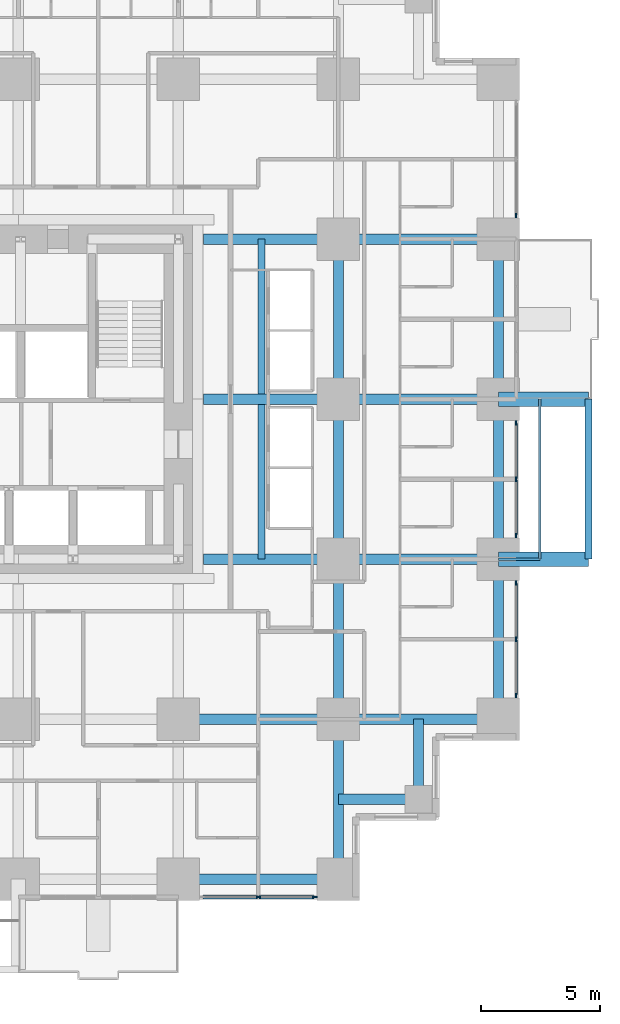
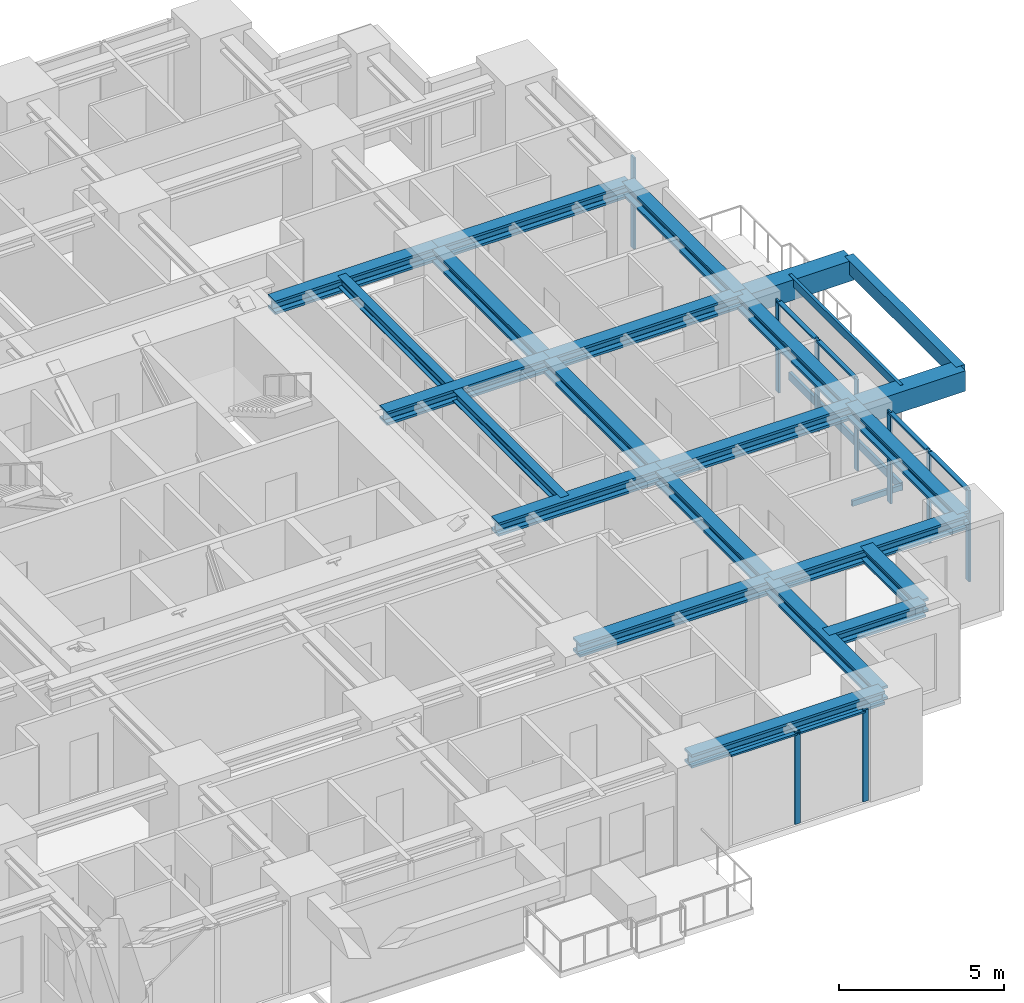
# One storey, part 4 of 14: 23 beams, 18 members, 4 elements without a shape of their own.
"""IFC4 building model written with IfcOpenShell, lengths in metres."""

from ifc_helpers import new_model, si_unit, direction, frame, origin, origin_2d, place, context, subcontext, project, spatial, rectangle, hollow_rectangle, i_section, extrude, material, material_profile, profile_set, type_object, element, aggregate, save


model = new_model("IFC4")

# Units and contexts
model_context = context("Model", 3, precision=1e-05, world=origin(), true_north=direction((0.0, 1.0)))
body_context = subcontext(model_context, "Body", "Model", "MODEL_VIEW")
ifc_project = project(units=[si_unit("LENGTHUNIT", "METRE"), si_unit("AREAUNIT", "SQUARE_METRE"), si_unit("VOLUMEUNIT", "CUBIC_METRE"), si_unit("PLANEANGLEUNIT", "RADIAN"), si_unit("MASSUNIT", "GRAM", prefix="KILO")], contexts=[model_context])

# Site, building, storey
site_placement = place(None, origin())
site = spatial("IfcSite", under=ifc_project, at=site_placement, CompositionType="ELEMENT")
building_placement = place(site_placement, origin())
building = spatial("IfcBuilding", under=site, at=building_placement, Name="Nyansa Garden Tower", CompositionType="ELEMENT")
storey_placement = place(building_placement, frame((0.0, 0.0, 50.39990234375)))
storey = spatial("IfcBuildingStorey", under=building, at=storey_placement, Name="L13", CompositionType="ELEMENT", Elevation=50.39990234375)

# Beams
ifc_material_1 = material(Name="Concrete C70/85", Category="concrete")
ifc_material_profile_1 = material_profile(ifc_material_1, rectangle(XDim=0.60009765625, YDim=0.75, at=origin_2d()), Name="RC 600x750")
ifc_profile_set_1 = profile_set([ifc_material_profile_1], Name="Concrete C70/85")
beam_type_1 = type_object("IfcBeamType", Name="Balcony cantilever beam CB1 RC 600x750", PredefinedType="BEAM", material=ifc_profile_set_1)
for number, where, z_axis, x_axis, name in (
    (1, (40.5, 13.5, 2.985107421875), (1.0, 0.0, 0.0), (0.0, 1.0, 0.0), "Balcony cantilever beam L14"),
    (2, (40.5, 20.25, 2.985107421875), (1.0, 0.0, 0.0), (0.0, 1.0, 0.0), "Balcony cantilever beam L14"),
):
    element("IfcBeam", number, at=place(storey_placement, frame(where, z_axis=z_axis, x_axis=x_axis)), inside=storey, type_object=beam_type_1, Name=name, PredefinedType="BEAM", context=body_context, shape_type="SweptSolid", body=[
        extrude(rectangle(XDim=0.60009765625, YDim=0.75, at=origin_2d()), origin(), (0.0, 0.0, 1.0), 3.800048828125),
    ])
ifc_material_2 = material(Name="Concrete C70/85", Category="concrete")
ifc_material_profile_2 = material_profile(ifc_material_2, rectangle(XDim=0.300048828125, YDim=0.5, at=origin_2d()), Name="RC 300x500")
ifc_profile_set_2 = profile_set([ifc_material_profile_2], Name="Concrete C70/85")
beam_type_2 = type_object("IfcBeamType", Name="Balcony edge beam BE1 RC 300x500", PredefinedType="BEAM", material=ifc_profile_set_2)
beam_1_placement = place(storey_placement, frame((44.300048828125, 13.5, 3.110107421875), z_axis=(0.0, 1.0, 0.0), x_axis=(-1.0, 0.0, 0.0)))
element("IfcBeam", 3, at=beam_1_placement, inside=storey, type_object=beam_type_2, Name="Balcony edge beam L14", PredefinedType="BEAM", context=body_context, shape_type="SweptSolid", body=[
    extrude(rectangle(XDim=0.300048828125, YDim=0.5, at=origin_2d()), origin(), (0.0, 0.0, 1.0), 6.75),
])

# Curtain wall, members
ifc_material_3 = material(Name="Black anodised aluminium, dark tinted double glazing", Category="aluminium")
curtain_wall_type = type_object("IfcCurtainWallType", Name="Inner skin curtain wall ISW-A", PredefinedType="USERDEFINED", material=ifc_material_3)
curtain_wall_1_placement = place(storey_placement, origin())
curtain_wall_1 = element("IfcCurtainWall", 4, at=curtain_wall_1_placement, inside=storey, type_object=curtain_wall_type, Name="Inner skin curtain wall L13 E", ObjectType="UNITISED CURTAIN WALL", PredefinedType="USERDEFINED")
ifc_material_4 = material(Name="Black anodised aluminium", Category="aluminium")
ifc_material_profile_3 = material_profile(ifc_material_4, rectangle(XDim=0.06494140625, YDim=0.199951171875, at=origin_2d()), Name="Mullion 200x65")
ifc_profile_set_3 = profile_set([ifc_material_profile_3], Name="Black anodised aluminium")
member_type_1 = type_object("IfcMemberType", Name="Mullion ISW-A 200x65", PredefinedType="MULLION", material=ifc_profile_set_3)
member_1_placement = place(storey_placement, frame((41.25, 7.75, 0.0), z_axis=(0.0, 0.0, 1.0), x_axis=(-1.0, 0.0, 0.0)))
member_1 = element("IfcMember", 5, at=member_1_placement, type_object=member_type_1, Name="ISW-A mullion 1", PredefinedType="MULLION", context=body_context, shape_type="SweptSolid", body=[
    extrude(rectangle(XDim=0.06494140625, YDim=0.199951171875, at=origin_2d()), origin(), (0.0, 0.0, 1.0), 3.375),
])
member_2_placement = place(storey_placement, frame((41.25, 10.125, 0.0), z_axis=(0.0, 0.0, 1.0), x_axis=(-1.0, 0.0, 0.0)))
member_2 = element("IfcMember", 6, at=member_2_placement, type_object=member_type_1, Name="ISW-A mullion 2", PredefinedType="MULLION", context=body_context, shape_type="SweptSolid", body=[
    extrude(rectangle(XDim=0.06494140625, YDim=0.199951171875, at=origin_2d()), origin(), (0.0, 0.0, 1.0), 3.375),
])
member_3_placement = place(storey_placement, frame((41.25, 12.5, 0.0), z_axis=(0.0, 0.0, 1.0), x_axis=(-1.0, 0.0, 0.0)))
member_3 = element("IfcMember", 7, at=member_3_placement, type_object=member_type_1, Name="ISW-A mullion 3", PredefinedType="MULLION", context=body_context, shape_type="SweptSolid", body=[
    extrude(rectangle(XDim=0.06494140625, YDim=0.199951171875, at=origin_2d()), origin(), (0.0, 0.0, 1.0), 3.375),
])

curtain_wall_2_placement = place(storey_placement, origin())
curtain_wall_2 = element("IfcCurtainWall", 8, at=curtain_wall_2_placement, inside=storey, type_object=curtain_wall_type, Name="Inner skin curtain wall L13 E", ObjectType="UNITISED CURTAIN WALL", PredefinedType="USERDEFINED")
member_4_placement = place(storey_placement, frame((41.25, 14.5, 0.0), z_axis=(0.0, 0.0, 1.0), x_axis=(-1.0, 0.0, 0.0)))
member_4 = element("IfcMember", 9, at=member_4_placement, type_object=member_type_1, Name="ISW-A mullion 1", PredefinedType="MULLION", context=body_context, shape_type="SweptSolid", body=[
    extrude(rectangle(XDim=0.06494140625, YDim=0.199951171875, at=origin_2d()), origin(), (0.0, 0.0, 1.0), 3.375),
])
member_5_placement = place(storey_placement, frame((41.25, 16.875, 0.0), z_axis=(0.0, 0.0, 1.0), x_axis=(-1.0, 0.0, 0.0)))
member_5 = element("IfcMember", 10, at=member_5_placement, type_object=member_type_1, Name="ISW-A mullion 2", PredefinedType="MULLION", context=body_context, shape_type="SweptSolid", body=[
    extrude(rectangle(XDim=0.06494140625, YDim=0.199951171875, at=origin_2d()), origin(), (0.0, 0.0, 1.0), 3.375),
])
member_6_placement = place(storey_placement, frame((41.25, 19.25, 0.0), z_axis=(0.0, 0.0, 1.0), x_axis=(-1.0, 0.0, 0.0)))
member_6 = element("IfcMember", 11, at=member_6_placement, type_object=member_type_1, Name="ISW-A mullion 3", PredefinedType="MULLION", context=body_context, shape_type="SweptSolid", body=[
    extrude(rectangle(XDim=0.06494140625, YDim=0.199951171875, at=origin_2d()), origin(), (0.0, 0.0, 1.0), 3.375),
])

# Curtain wall, member
curtain_wall_3_placement = place(storey_placement, origin())
curtain_wall_3 = element("IfcCurtainWall", 12, at=curtain_wall_3_placement, inside=storey, type_object=curtain_wall_type, Name="Inner skin curtain wall L13 E", ObjectType="UNITISED CURTAIN WALL", PredefinedType="USERDEFINED")
member_7_placement = place(storey_placement, frame((41.25, 28.0, 0.0), z_axis=(0.0, 0.0, 1.0), x_axis=(-1.0, 0.0, 0.0)))
member_7 = element("IfcMember", 13, at=member_7_placement, type_object=member_type_1, Name="ISW-A mullion 1", PredefinedType="MULLION", context=body_context, shape_type="SweptSolid", body=[
    extrude(rectangle(XDim=0.06494140625, YDim=0.199951171875, at=origin_2d()), origin(), (0.0, 0.0, 1.0), 3.375),
])
aggregate(curtain_wall_3, [member_7])

# Curtain wall, members
curtain_wall_4_placement = place(storey_placement, origin())
curtain_wall_4 = element("IfcCurtainWall", 14, at=curtain_wall_4_placement, inside=storey, type_object=curtain_wall_type, Name="Inner skin curtain wall L13 S", ObjectType="UNITISED CURTAIN WALL", PredefinedType="USERDEFINED")
member_8_placement = place(storey_placement, frame((30.375, -0.75, 0.0), z_axis=(0.0, 0.0, 1.0), x_axis=(0.0, 1.0, 0.0)))
member_8 = element("IfcMember", 15, at=member_8_placement, type_object=member_type_1, Name="ISW-A mullion 2", PredefinedType="MULLION", context=body_context, shape_type="SweptSolid", body=[
    extrude(rectangle(XDim=0.06494140625, YDim=0.199951171875, at=origin_2d()), origin(), (0.0, 0.0, 1.0), 3.375),
])
member_9_placement = place(storey_placement, frame((32.75, -0.75, 0.0), z_axis=(0.0, 0.0, 1.0), x_axis=(0.0, 1.0, 0.0)))
member_9 = element("IfcMember", 16, at=member_9_placement, type_object=member_type_1, Name="ISW-A mullion 3", PredefinedType="MULLION", context=body_context, shape_type="SweptSolid", body=[
    extrude(rectangle(XDim=0.06494140625, YDim=0.199951171875, at=origin_2d()), origin(), (0.0, 0.0, 1.0), 3.375),
])

# Members
ifc_material_5 = material(Name="Steel S355, black powder coated", Category="steel")
ifc_material_profile_4 = material_profile(ifc_material_5, hollow_rectangle(XDim=0.10009765625, YDim=0.199951171875, WallThickness=0.008056640625, at=origin_2d()), Name="RHS 200x100x8")
ifc_profile_set_4 = profile_set([ifc_material_profile_4], Name="Steel S355, black powder coated")
member_type_2 = type_object("IfcMemberType", Name="Outer skin bracket arm RHS 200x100x8", PredefinedType="USERDEFINED", material=ifc_profile_set_4)
member_10_placement = place(storey_placement, frame((40.5, 13.5, -0.375), z_axis=(1.0, 0.0, 0.0), x_axis=(0.0, 1.0, 0.0)))
element("IfcMember", 17, at=member_10_placement, inside=storey, type_object=member_type_2, Name="Outer skin bracket arm", ObjectType="OUTER SKIN BRACKET", PredefinedType="USERDEFINED", context=body_context, shape_type="SweptSolid", body=[
    extrude(hollow_rectangle(XDim=0.10009765625, YDim=0.199951171875, WallThickness=0.008056640625, at=origin_2d()), origin(), (0.0, 0.0, 1.0), 1.75),
])
ifc_material_6 = material(Name="Steel S355, black powder coated", Category="steel")
ifc_material_profile_5 = material_profile(ifc_material_6, hollow_rectangle(XDim=0.10009765625, YDim=0.300048828125, WallThickness=0.010009765625, at=origin_2d()), Name="RHS 300x100x10")
ifc_profile_set_5 = profile_set([ifc_material_profile_5], Name="Steel S355, black powder coated")
member_type_3 = type_object("IfcMemberType", Name="Outer skin rail RHS 300x100x10", PredefinedType="USERDEFINED", material=ifc_profile_set_5)
for number, where, z_axis, x_axis, name in (
    (18, (42.25, 13.5, -0.375), (0.0, 1.0, 0.0), (-1.0, 0.0, 0.0), "Outer skin rail L13"),
    (19, (42.25, 13.5, 3.22509765625), (0.0, 1.0, 0.0), (-1.0, 0.0, 0.0), "Outer skin rail L13 head"),
):
    element("IfcMember", number, at=place(storey_placement, frame(where, z_axis=z_axis, x_axis=x_axis)), inside=storey, type_object=member_type_3, Name=name, ObjectType="OUTER SKIN RAIL", PredefinedType="USERDEFINED", context=body_context, shape_type="SweptSolid", body=[
        extrude(hollow_rectangle(XDim=0.10009765625, YDim=0.300048828125, WallThickness=0.010009765625, at=origin_2d()), origin(), (0.0, 0.0, 1.0), 6.75),
    ])

# Beams
ifc_material_7 = material(Name="Steel S355", Category="steel")
ifc_material_profile_6 = material_profile(ifc_material_7, i_section(OverallWidth=0.431884765625, OverallDepth=0.498046875, WebThickness=0.0556640625, FlangeThickness=0.0888671875, FilletRadius=0.014892578125, at=origin_2d()), Name="HD 400x744")
ifc_profile_set_6 = profile_set([ifc_material_profile_6], Name="Steel S355")
beam_type_3 = type_object("IfcBeamType", Name="Steel beam SBA1-744 HD 400x744", PredefinedType="BEAM", material=ifc_profile_set_6)
beam_2_placement = place(storey_placement, frame((27.0, 6.75, 3.1259765625), z_axis=(1.0, 0.0, 0.0), x_axis=(0.0, 1.0, 0.0)))
element("IfcBeam", 20, at=beam_2_placement, inside=storey, type_object=beam_type_3, Name="Steel beam 6/E-7/E L14", PredefinedType="BEAM", context=body_context, shape_type="SweptSolid", body=[
    extrude(i_section(OverallWidth=0.431884765625, OverallDepth=0.498046875, WebThickness=0.0556640625, FlangeThickness=0.0888671875, FilletRadius=0.014892578125, at=origin_2d()), origin(), (0.0, 0.0, 1.0), 6.75),
])
for number, where, z_axis, x_axis, name in (
    (21, (28.050048828125, 13.5, 3.1259765625), (1.0, 0.0, 0.0), (0.0, 1.0, 0.0), "Steel beam 28.050/F-7/F L14"),
    (22, (28.050048828125, 20.25, 3.1259765625), (1.0, 0.0, 0.0), (0.0, 1.0, 0.0), "Steel beam 28.050/G-7/G L14"),
    (23, (28.050048828125, 27.0, 3.1259765625), (1.0, 0.0, 0.0), (0.0, 1.0, 0.0), "Steel beam 28.050/H-7/H L14"),
):
    element("IfcBeam", number, at=place(storey_placement, frame(where, z_axis=z_axis, x_axis=x_axis)), inside=storey, type_object=beam_type_3, Name=name, PredefinedType="BEAM", context=body_context, shape_type="SweptSolid", body=[
        extrude(i_section(OverallWidth=0.431884765625, OverallDepth=0.498046875, WebThickness=0.0556640625, FlangeThickness=0.0888671875, FilletRadius=0.014892578125, at=origin_2d()), origin(), (0.0, 0.0, 1.0), 5.699951171875),
    ])
for number, where, z_axis, x_axis, name in (
    (24, (33.75, 0.0, 3.1259765625), (0.0, 1.0, 0.0), (-1.0, 0.0, 0.0), "Steel beam 7/D-7/E L14"),
    (25, (33.75, 6.75, 3.1259765625), (0.0, 1.0, 0.0), (-1.0, 0.0, 0.0), "Steel beam 7/E-7/F L14"),
    (26, (33.75, 6.75, 3.1259765625), (1.0, 0.0, 0.0), (0.0, 1.0, 0.0), "Steel beam 7/E-8/E L14"),
    (27, (33.75, 13.5, 3.1259765625), (0.0, 1.0, 0.0), (-1.0, 0.0, 0.0), "Steel beam 7/F-7/G L14"),
    (28, (33.75, 13.5, 3.1259765625), (1.0, 0.0, 0.0), (0.0, 1.0, 0.0), "Steel beam 7/F-8/F L14"),
    (29, (33.75, 20.25, 3.1259765625), (0.0, 1.0, 0.0), (-1.0, 0.0, 0.0), "Steel beam 7/G-7/H L14"),
    (30, (33.75, 20.25, 3.1259765625), (1.0, 0.0, 0.0), (0.0, 1.0, 0.0), "Steel beam 7/G-8/G L14"),
    (31, (33.75, 27.0, 3.1259765625), (1.0, 0.0, 0.0), (0.0, 1.0, 0.0), "Steel beam 7/H-8/H L14"),
):
    element("IfcBeam", number, at=place(storey_placement, frame(where, z_axis=z_axis, x_axis=x_axis)), inside=storey, type_object=beam_type_3, Name=name, PredefinedType="BEAM", context=body_context, shape_type="SweptSolid", body=[
        extrude(i_section(OverallWidth=0.431884765625, OverallDepth=0.498046875, WebThickness=0.0556640625, FlangeThickness=0.0888671875, FilletRadius=0.014892578125, at=origin_2d()), origin(), (0.0, 0.0, 1.0), 6.75),
    ])
ifc_material_8 = material(Name="Steel S355", Category="steel")
ifc_material_profile_7 = material_profile(ifc_material_8, i_section(OverallWidth=0.431884765625, OverallDepth=0.498046875, WebThickness=0.0556640625, FlangeThickness=0.0888671875, FilletRadius=0.014892578125, at=origin_2d()), Name="HD 400x744")
ifc_profile_set_7 = profile_set([ifc_material_profile_7], Name="Steel S355")
beam_type_4 = type_object("IfcBeamType", Name="Steel beam SEBA-744 HD 400x744", PredefinedType="BEAM", material=ifc_profile_set_7)
for number, where, z_axis, x_axis, name in (
    (32, (27.0, 0.0, 3.1259765625), (1.0, 0.0, 0.0), (0.0, 1.0, 0.0), "Steel edge beam 6/D-7/D L14"),
    (33, (40.5, 6.75, 3.1259765625), (0.0, 1.0, 0.0), (-1.0, 0.0, 0.0), "Steel edge beam 8/E-8/F L14"),
    (34, (40.5, 13.5, 3.1259765625), (0.0, 1.0, 0.0), (-1.0, 0.0, 0.0), "Steel edge beam 8/F-8/G L14"),
    (35, (40.5, 20.25, 3.1259765625), (0.0, 1.0, 0.0), (-1.0, 0.0, 0.0), "Steel edge beam 8/G-8/H L14"),
):
    element("IfcBeam", number, at=place(storey_placement, frame(where, z_axis=z_axis, x_axis=x_axis)), inside=storey, type_object=beam_type_4, Name=name, PredefinedType="BEAM", context=body_context, shape_type="SweptSolid", body=[
        extrude(i_section(OverallWidth=0.431884765625, OverallDepth=0.498046875, WebThickness=0.0556640625, FlangeThickness=0.0888671875, FilletRadius=0.014892578125, at=origin_2d()), origin(), (0.0, 0.0, 1.0), 6.75),
    ])
ifc_material_9 = material(Name="Steel S355", Category="steel")
ifc_material_profile_8 = material_profile(ifc_material_9, i_section(OverallWidth=0.431884765625, OverallDepth=0.498046875, WebThickness=0.0556640625, FlangeThickness=0.0888671875, FilletRadius=0.014892578125, at=origin_2d()), Name="HD 400x744")
ifc_profile_set_8 = profile_set([ifc_material_profile_8], Name="Steel S355")
beam_type_5 = type_object("IfcBeamType", Name="Steel beam SSB1-744 HD 400x744", PredefinedType="BEAM", material=ifc_profile_set_8)
for number, where, z_axis, x_axis, name in (
    (36, (37.125, 3.375, 3.1259765625), (0.0, 1.0, 0.0), (-1.0, 0.0, 0.0), "Steel step beam 37.125/3.375 L14"),
    (37, (37.125, 3.375, 3.1259765625), (-1.0, 0.0, 0.0), (0.0, -1.0, 0.0), "Steel step beam 37.125/3.375 L14"),
):
    element("IfcBeam", number, at=place(storey_placement, frame(where, z_axis=z_axis, x_axis=x_axis)), inside=storey, type_object=beam_type_5, Name=name, PredefinedType="BEAM", context=body_context, shape_type="SweptSolid", body=[
        extrude(i_section(OverallWidth=0.431884765625, OverallDepth=0.498046875, WebThickness=0.0556640625, FlangeThickness=0.0888671875, FilletRadius=0.014892578125, at=origin_2d()), origin(), (0.0, 0.0, 1.0), 3.375),
    ])

# Member
ifc_material_10 = material(Name="Black anodised aluminium", Category="aluminium")
ifc_material_profile_9 = material_profile(ifc_material_10, rectangle(XDim=0.14990234375, YDim=0.06494140625, at=origin_2d()), Name="Transom 150x65")
ifc_profile_set_9 = profile_set([ifc_material_profile_9], Name="Black anodised aluminium")
member_type_4 = type_object("IfcMemberType", Name="Transom ISW-A 150x65", PredefinedType="USERDEFINED", material=ifc_profile_set_9)
member_11_placement = place(storey_placement, frame((41.25, 7.782470703125, 3.342529296875), z_axis=(0.0, 1.0, 0.0), x_axis=(-1.0, 0.0, 0.0)))
member_11 = element("IfcMember", 38, at=member_11_placement, type_object=member_type_4, Name="ISW-A transom 1", ObjectType="TRANSOM", PredefinedType="USERDEFINED", context=body_context, shape_type="SweptSolid", body=[
    extrude(rectangle(XDim=0.14990234375, YDim=0.06494140625, at=origin_2d()), origin(), (0.0, 0.0, 1.0), 2.31005859375),
])

member_12_placement = place(storey_placement, frame((41.25, 10.157470703125, 3.342529296875), z_axis=(0.0, 1.0, 0.0), x_axis=(-1.0, 0.0, 0.0)))
member_12 = element("IfcMember", 39, at=member_12_placement, type_object=member_type_4, Name="ISW-A transom 2", ObjectType="TRANSOM", PredefinedType="USERDEFINED", context=body_context, shape_type="SweptSolid", body=[
    extrude(rectangle(XDim=0.14990234375, YDim=0.06494140625, at=origin_2d()), origin(), (0.0, 0.0, 1.0), 2.31005859375),
])

aggregate(curtain_wall_1, [member_1, member_2, member_3, member_11, member_12])

member_13_placement = place(storey_placement, frame((41.25, 14.532470703125, 3.342529296875), z_axis=(0.0, 1.0, 0.0), x_axis=(-1.0, 0.0, 0.0)))
member_13 = element("IfcMember", 40, at=member_13_placement, type_object=member_type_4, Name="ISW-A transom 1", ObjectType="TRANSOM", PredefinedType="USERDEFINED", context=body_context, shape_type="SweptSolid", body=[
    extrude(rectangle(XDim=0.14990234375, YDim=0.06494140625, at=origin_2d()), origin(), (0.0, 0.0, 1.0), 2.31005859375),
])

member_14_placement = place(storey_placement, frame((41.25, 16.907470703125, 3.342529296875), z_axis=(0.0, 1.0, 0.0), x_axis=(-1.0, 0.0, 0.0)))
member_14 = element("IfcMember", 41, at=member_14_placement, type_object=member_type_4, Name="ISW-A transom 2", ObjectType="TRANSOM", PredefinedType="USERDEFINED", context=body_context, shape_type="SweptSolid", body=[
    extrude(rectangle(XDim=0.14990234375, YDim=0.06494140625, at=origin_2d()), origin(), (0.0, 0.0, 1.0), 2.31005859375),
])

aggregate(curtain_wall_2, [member_4, member_5, member_6, member_13, member_14])

member_15_placement = place(storey_placement, frame((28.032470703125, -0.75, 3.342529296875), z_axis=(1.0, 0.0, 0.0), x_axis=(0.0, 1.0, 0.0)))
member_15 = element("IfcMember", 42, at=member_15_placement, type_object=member_type_4, Name="ISW-A transom 1", ObjectType="TRANSOM", PredefinedType="USERDEFINED", context=body_context, shape_type="SweptSolid", body=[
    extrude(rectangle(XDim=0.14990234375, YDim=0.06494140625, at=origin_2d()), origin(), (0.0, 0.0, 1.0), 2.31005859375),
])

member_16_placement = place(storey_placement, frame((30.407470703125, -0.75, 3.342529296875), z_axis=(1.0, 0.0, 0.0), x_axis=(0.0, 1.0, 0.0)))
member_16 = element("IfcMember", 43, at=member_16_placement, type_object=member_type_4, Name="ISW-A transom 2", ObjectType="TRANSOM", PredefinedType="USERDEFINED", context=body_context, shape_type="SweptSolid", body=[
    extrude(rectangle(XDim=0.14990234375, YDim=0.06494140625, at=origin_2d()), origin(), (0.0, 0.0, 1.0), 2.31005859375),
])

aggregate(curtain_wall_4, [member_8, member_9, member_15, member_16])

# Beams
ifc_material_11 = material(Name="Steel S355", Category="steel")
ifc_material_profile_10 = material_profile(ifc_material_11, i_section(OverallWidth=0.300048828125, OverallDepth=0.39990234375, WebThickness=0.013427734375, FlangeThickness=0.02392578125, FilletRadius=0.027099609375, at=origin_2d()), Name="HE 400 B")
ifc_profile_set_10 = profile_set([ifc_material_profile_10], Name="Steel S355")
beam_type_6 = type_object("IfcBeamType", Name="Trimmer beam TR1 HE 400 B", PredefinedType="BEAM", material=ifc_profile_set_10)
for number, where, z_axis, x_axis, name in (
    (44, (30.5, 13.5, 3.175048828125), (0.0, 1.0, 0.0), (-1.0, 0.0, 0.0), "Trimmer beam 1 L14"),
    (45, (30.5, 20.466064453125, 3.175048828125), (0.0, 1.0, 0.0), (-1.0, 0.0, 0.0), "Trimmer beam 2 L14"),
):
    element("IfcBeam", number, at=place(storey_placement, frame(where, z_axis=z_axis, x_axis=x_axis)), inside=storey, type_object=beam_type_6, Name=name, PredefinedType="BEAM", context=body_context, shape_type="SweptSolid", body=[
        extrude(i_section(OverallWidth=0.300048828125, OverallDepth=0.39990234375, WebThickness=0.013427734375, FlangeThickness=0.02392578125, FilletRadius=0.027099609375, at=origin_2d()), origin(), (0.0, 0.0, 1.0), 6.533935546875),
    ])

save(model, "model.ifc")
